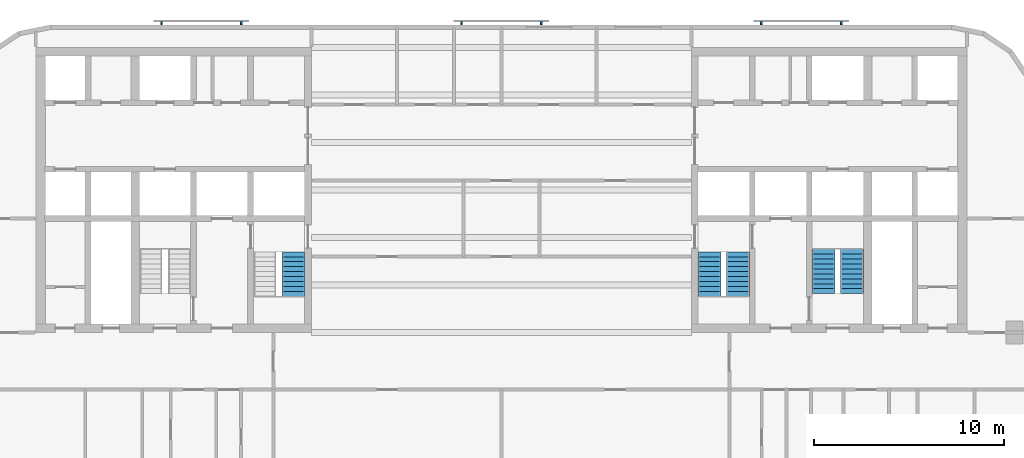
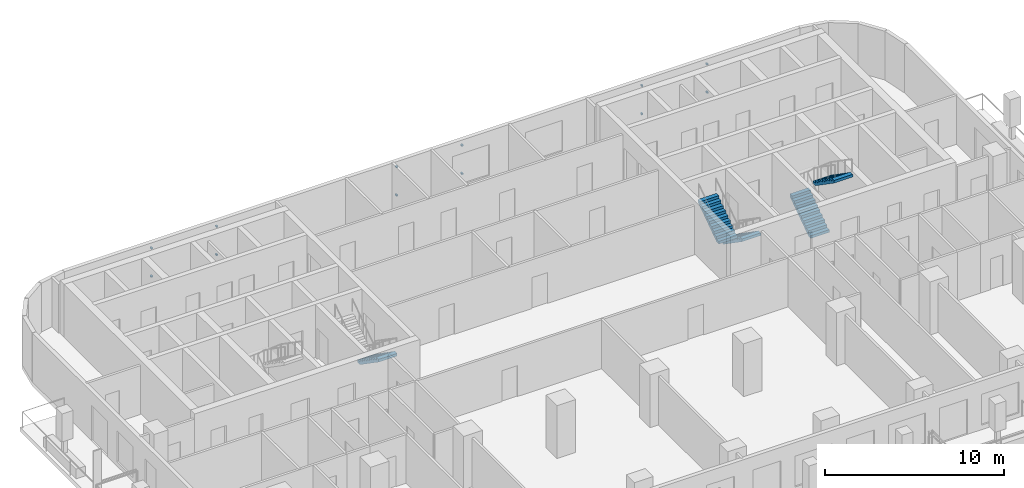
# One storey, part 8 of 11: 12 discrete accessories, 5 stair flights, 3 elements without a shape of their own.
"""IFC4 building model written with IfcOpenShell, lengths in metres."""

import ifcopenshell
import ifcopenshell.guid

model = None  # the IFC model being written
_history = None  # IfcOwnerHistory: only IFC2X3 demands one
_inside = {}  # id of a spatial element -> (the spatial element, [elements in it])
_under = {}  # id of a project, library or spatial element -> (it, [spatial elements below it])
_declared = {}  # id of a project -> (the project, [libraries it declares])
_typed = {}  # id of a type object -> (the type object, [elements of that type])
_made_of = {}  # id of a material, layer set ... -> (it, [elements and type objects made of it])


def new_model(schema):
    """Start an empty IFC model of exactly this schema.

    Asked for "IFC4X3", IfcOpenShell would pick the latest addendum, in which some entities
    have other attributes; the version numbers below select the first issue.
    IFC2X3 requires an IfcOwnerHistory on every rooted entity: one is made here for all.
    """
    global model, _history
    if schema == "IFC4X3":
        model = ifcopenshell.file(schema_version=(4, 3, 0, 0))
    else:
        model = ifcopenshell.file(schema=schema)
    _inside.clear()
    _under.clear()
    _declared.clear()
    _typed.clear()
    _made_of.clear()
    _history = None
    if model.schema == "IFC2X3":
        org = make("IfcOrganization", Name="unknown")
        user = make(
            "IfcPersonAndOrganization",
            ThePerson=make("IfcPerson", FamilyName="unknown"),
            TheOrganization=org,
        )
        app = make(
            "IfcApplication",
            ApplicationDeveloper=org,
            Version="unknown",
            ApplicationFullName="unknown",
            ApplicationIdentifier="unknown",
        )
        _history = make(
            "IfcOwnerHistory",
            OwningUser=user,
            OwningApplication=app,
            ChangeAction="ADDED",
            CreationDate=0,
        )
    return model


def make(cls, **values):
    """One entity of the class cls with the attributes given. An attribute that is None is left unset."""
    return model.create_entity(
        cls, **{name: value for name, value in values.items() if value is not None}
    )


def rooted(cls, **values):
    """An entity with a GlobalId (a new one), such as an element, a storey or a relation."""
    return make(cls, GlobalId=ifcopenshell.guid.new(), OwnerHistory=_history, **values)


def si_unit(unit_type, name, prefix=None):
    """IfcSIUnit, for example si_unit("LENGTHUNIT", "METRE", prefix="MILLI")."""
    return make("IfcSIUnit", UnitType=unit_type, Prefix=prefix, Name=name)


def assignment(units):
    """IfcUnitAssignment: the units of a project."""
    return None if units is None else make("IfcUnitAssignment", Units=units)


def point(xyz):
    """IfcCartesianPoint."""
    return None if xyz is None else make("IfcCartesianPoint", Coordinates=xyz)


def direction(xyz):
    """IfcDirection."""
    return None if xyz is None else make("IfcDirection", DirectionRatios=xyz)


def frame(location, z_axis=None, x_axis=None):
    """IfcAxis2Placement3D, a coordinate frame: its origin and axes. An axis left out is left unset."""
    return make(
        "IfcAxis2Placement3D",
        Location=point(location),
        Axis=direction(z_axis),
        RefDirection=direction(x_axis),
    )


def frame_2d(location, x_axis=None):
    """IfcAxis2Placement2D, a coordinate frame in the plane: its origin and x axis."""
    return make(
        "IfcAxis2Placement2D", Location=point(location), RefDirection=direction(x_axis)
    )


def origin():
    """The frame at (0, 0, 0) with its axes left unset."""
    return frame((0.0, 0.0, 0.0))


def origin_2d():
    """The frame at (0, 0) in the plane with its x axis left unset."""
    return frame_2d((0.0, 0.0))


def place(relative_to, where):
    """IfcLocalPlacement: puts the frame where relative to a parent placement (None: the world)."""
    return make(
        "IfcLocalPlacement", PlacementRelTo=relative_to, RelativePlacement=where
    )


def context(
    kind, dimensions, precision=None, world=None, true_north=None, identifier=None
):
    """IfcGeometricRepresentationContext, for example the 3D "Model" context."""
    return make(
        "IfcGeometricRepresentationContext",
        ContextIdentifier=identifier,
        ContextType=kind,
        CoordinateSpaceDimension=dimensions,
        Precision=precision,
        WorldCoordinateSystem=world,
        TrueNorth=true_north,
    )


def subcontext(parent, identifier, kind, view, scale=None):
    """IfcGeometricRepresentationSubContext, for example "Body" below "Model"."""
    return make(
        "IfcGeometricRepresentationSubContext",
        ContextIdentifier=identifier,
        ContextType=kind,
        ParentContext=parent,
        TargetScale=scale,
        TargetView=view,
    )


def project(units=None, contexts=None):
    """IfcProject with its units and contexts."""
    return rooted(
        "IfcProject",
        Name="project",
        RepresentationContexts=contexts,
        UnitsInContext=assignment(units),
    )


def spatial(cls, under=None, at=None, **own):
    """A site, building, storey or space (cls), placed at a placement, below another one or the project."""
    s = rooted(cls, ObjectPlacement=at, **own)
    if under is not None:
        _under.setdefault(under.id(), (under, []))[1].append(s)
    return s


def polyline(points):
    """IfcPolyline through the points."""
    return make("IfcPolyline", Points=[point(p) for p in points])


def profile(cls, at=None, kind="AREA", **sizes):
    """A parametric profile (cls). Its sizes go by their IFC names, for example OverallWidth=200.0."""
    return make(cls, ProfileType=kind, Position=at, **sizes)


def rectangle(**sizes):
    """IfcRectangleProfileDef."""
    return profile("IfcRectangleProfileDef", **sizes)


def outline(outer, holes=None, kind="AREA"):
    """IfcArbitraryClosedProfileDef: a profile drawn as a closed curve; with holes, ...WithVoids."""
    if holes is None:
        return make("IfcArbitraryClosedProfileDef", ProfileType=kind, OuterCurve=outer)
    return make(
        "IfcArbitraryProfileDefWithVoids",
        ProfileType=kind,
        OuterCurve=outer,
        InnerCurves=holes,
    )


def extrude(swept, where, along, depth):
    """IfcExtrudedAreaSolid: the profile swept, set in the frame where, extruded along a direction by depth."""
    return make(
        "IfcExtrudedAreaSolid",
        SweptArea=swept,
        Position=where,
        ExtrudedDirection=direction(along),
        Depth=depth,
    )


def shape(context_of_items, identifier, shape_type, items):
    """IfcShapeRepresentation: the items that make up one representation, for example the "Body"."""
    return make(
        "IfcShapeRepresentation",
        ContextOfItems=context_of_items,
        RepresentationIdentifier=identifier,
        RepresentationType=shape_type,
        Items=items,
    )


def material(Name=None, Category=None):
    """IfcMaterial."""
    return make("IfcMaterial", Name=Name, Category=Category)


def made_of(thing, what):
    """Note that an element or type object is made of a material, layer set ...; save() writes the relation."""
    if what is not None:
        _made_of.setdefault(what.id(), (what, []))[1].append(thing)
    return thing


def type_object(cls, material=None, **own):
    """A type object (cls), such as IfcWallType, which elements share."""
    return made_of(rooted(cls, **own), material)


def element(
    cls,
    number,
    at=None,
    inside=None,
    cuts=None,
    type_object=None,
    material=None,
    context=None,
    identifier="Body",
    shape_type=None,
    held_by="IfcProductDefinitionShape",
    body=None,
    shapes=None,
    **own,
):
    """One element of the class cls, such as IfcWall. Its Tag is "e" and its number.

    at: its placement. inside: the storey or other place that contains it. cuts: it is an
    opening in that element (IfcRelVoidsElement). A single representation is given by context,
    identifier, shape_type and body (its items); several are given by shapes. held_by: the class
    of the entity that holds the representations. save() writes the other relations.
    """
    e = rooted(cls, Tag="e%d" % number, ObjectPlacement=at, **own)
    if body is not None:
        shapes = [shape(context, identifier, shape_type, body)]
    if shapes is not None:
        e.Representation = make(held_by, Representations=shapes)
    if inside is not None:
        _inside.setdefault(inside.id(), (inside, []))[1].append(e)
    if cuts is not None:
        rooted(
            "IfcRelVoidsElement", RelatingBuildingElement=cuts, RelatedOpeningElement=e
        )
    if type_object is not None:
        _typed.setdefault(type_object.id(), (type_object, []))[1].append(e)
    return made_of(e, material)


def aggregate(whole, parts):
    """IfcRelAggregates: a whole, such as a stair, and the parts it consists of."""
    return rooted("IfcRelAggregates", RelatingObject=whole, RelatedObjects=parts)


def save(model, path):
    """Write the relations noted so far, then the file.

    IfcRelAggregates (storeys below a building ...), IfcRelContainedInSpatialStructure (elements
    in a storey), IfcRelDefinesByType, IfcRelAssociatesMaterial and IfcRelDeclares: one each for
    every whole, place, type object, material and project.
    """
    for whole, parts in _under.values():
        aggregate(whole, parts)
    for where, things in _inside.values():
        rooted(
            "IfcRelContainedInSpatialStructure",
            RelatedElements=things,
            RelatingStructure=where,
        )
    for kind, things in _typed.values():
        rooted("IfcRelDefinesByType", RelatedObjects=things, RelatingType=kind)
    for what, things in _made_of.values():
        rooted("IfcRelAssociatesMaterial", RelatedObjects=things, RelatingMaterial=what)
    for by, libraries in _declared.values():
        rooted("IfcRelDeclares", RelatingContext=by, RelatedDefinitions=libraries)
    model.write(path)


model = new_model("IFC4")

# Units and contexts
model_context = context("Model", 3, precision=1e-05, world=origin(), true_north=direction((0.0, 1.0)))
body_context = subcontext(model_context, "Body", "Model", "MODEL_VIEW")
ifc_project = project(units=[si_unit("LENGTHUNIT", "METRE"), si_unit("AREAUNIT", "SQUARE_METRE"), si_unit("VOLUMEUNIT", "CUBIC_METRE"), si_unit("PLANEANGLEUNIT", "RADIAN"), si_unit("MASSUNIT", "GRAM", prefix="KILO")], contexts=[model_context])

# Site, building, storey
site_placement = place(None, origin())
site = spatial("IfcSite", under=ifc_project, at=site_placement, CompositionType="ELEMENT")
building_placement = place(site_placement, origin())
building = spatial("IfcBuilding", under=site, at=building_placement, Name="Torana Hotel and Residences", CompositionType="ELEMENT")
storey_placement = place(building_placement, frame((0.0, 0.0, 130.800048828125)))
storey = spatial("IfcBuildingStorey", under=building, at=storey_placement, Name="L33", CompositionType="ELEMENT", Elevation=130.800048828125)

# Stair, stair flight
ifc_material_1 = material(Name="Concrete C40/50 precast", Category="concrete")
stair_type_1 = type_object("IfcStairType", Name="STAIR ST1 HALF TURN 1200", PredefinedType="HALF_TURN_STAIR", material=ifc_material_1)
stair_1_placement = place(storey_placement, origin())
stair_1 = element("IfcStair", 1, at=stair_1_placement, inside=storey, type_object=stair_type_1, Name="Stair ST1 L33", PredefinedType="HALF_TURN_STAIR")
ifc_material_2 = material(Name="Concrete C40/50 precast", Category="concrete")
stair_flight_type = type_object("IfcStairFlightType", Name="STAIR FLIGHT 1200 PRECAST", PredefinedType="STRAIGHT", material=ifc_material_2)
stair_flight_1_placement = place(storey_placement, frame((-10.949951171875, -10.75, 0.0), z_axis=(0.0, 0.0, 1.0), x_axis=(0.0, -1.0, 0.0)))
stair_flight_1 = element("IfcStairFlight", 2, at=stair_flight_1_placement, type_object=stair_flight_type, Name="ST1 flight 1", NumberOfRisers=10, NumberOfTreads=9, PredefinedType="STRAIGHT", RiserHeight=0.18, TreadLength=0.26, context=body_context, shape_type="SweptSolid", body=[
    extrude(outline(polyline([(0.0, 0.0), (0.0, 0.179931640625), (0.260009765625, 0.179931640625), (0.260009765625, 0.360107421875), (0.52001953125, 0.360107421875), (0.52001953125, 0.5400390625), (0.780029296875, 0.5400390625), (0.780029296875, 0.719970703125), (1.0400390625, 0.719970703125), (1.0400390625, 0.89990234375), (1.300048828125, 0.89990234375), (1.300048828125, 1.080078125), (1.56005859375, 1.080078125), (1.56005859375, 1.260009765625), (1.820068359375, 1.260009765625), (1.820068359375, 1.43994140625), (2.080078125, 1.43994140625), (2.080078125, 1.6201171875), (2.340087890625, 1.6201171875), (2.340087890625, 1.800048828125), (2.340087890625, 1.437744140625), (0.263427734375, 0.0), (0.0, 0.0)])), frame((0.0, 0.60009765625, 0.0), z_axis=(0.0, -1.0, 0.0), x_axis=(1.0, 0.0, 0.0)), (0.0, 0.0, 1.0), 1.199951171875),
])
aggregate(stair_1, [stair_flight_1])

# Stair, stair flights
ifc_material_3 = material(Name="Concrete C40/50 precast", Category="concrete")
stair_type_2 = type_object("IfcStairType", Name="STAIR ST3 HALF TURN 1200", PredefinedType="HALF_TURN_STAIR", material=ifc_material_3)
stair_2_placement = place(storey_placement, origin())
stair_2 = element("IfcStair", 3, at=stair_2_placement, inside=storey, type_object=stair_type_2, Name="Stair ST3 L33", PredefinedType="HALF_TURN_STAIR")
stair_flight_2_placement = place(storey_placement, frame((12.449951171875, -10.75, 0.0), z_axis=(0.0, 0.0, 1.0), x_axis=(0.0, -1.0, 0.0)))
stair_flight_2 = element("IfcStairFlight", 4, at=stair_flight_2_placement, type_object=stair_flight_type, Name="ST3 flight 1", NumberOfRisers=10, NumberOfTreads=9, PredefinedType="STRAIGHT", RiserHeight=0.18, TreadLength=0.26, context=body_context, shape_type="SweptSolid", body=[
    extrude(outline(polyline([(0.0, 0.0), (0.0, 0.179931640625), (0.260009765625, 0.179931640625), (0.260009765625, 0.360107421875), (0.52001953125, 0.360107421875), (0.52001953125, 0.5400390625), (0.780029296875, 0.5400390625), (0.780029296875, 0.719970703125), (1.0400390625, 0.719970703125), (1.0400390625, 0.89990234375), (1.300048828125, 0.89990234375), (1.300048828125, 1.080078125), (1.56005859375, 1.080078125), (1.56005859375, 1.260009765625), (1.820068359375, 1.260009765625), (1.820068359375, 1.43994140625), (2.080078125, 1.43994140625), (2.080078125, 1.6201171875), (2.340087890625, 1.6201171875), (2.340087890625, 1.800048828125), (2.340087890625, 1.437744140625), (0.263427734375, 0.0), (0.0, 0.0)])), frame((0.0, 0.60009765625, 0.0), z_axis=(0.0, -1.0, 0.0), x_axis=(1.0, 0.0, 0.0)), (0.0, 0.0, 1.0), 1.199951171875),
])
stair_flight_3_placement = place(storey_placement, frame((10.949951171875, -13.090087890625, 1.800048828125), z_axis=(0.0, 0.0, 1.0), x_axis=(0.0, 1.0, 0.0)))
stair_flight_3 = element("IfcStairFlight", 5, at=stair_flight_3_placement, type_object=stair_flight_type, Name="ST3 flight 2", NumberOfRisers=10, NumberOfTreads=9, PredefinedType="STRAIGHT", RiserHeight=0.18, TreadLength=0.26, context=body_context, shape_type="SweptSolid", body=[
    extrude(outline(polyline([(0.0, 0.0), (0.0, 0.179931640625), (0.260009765625, 0.179931640625), (0.260009765625, 0.360107421875), (0.52001953125, 0.360107421875), (0.52001953125, 0.5400390625), (0.780029296875, 0.5400390625), (0.780029296875, 0.719970703125), (1.0400390625, 0.719970703125), (1.0400390625, 0.89990234375), (1.300048828125, 0.89990234375), (1.300048828125, 1.080078125), (1.56005859375, 1.080078125), (1.56005859375, 1.260009765625), (1.820068359375, 1.260009765625), (1.820068359375, 1.43994140625), (2.080078125, 1.43994140625), (2.080078125, 1.6201171875), (2.340087890625, 1.6201171875), (2.340087890625, 1.800048828125), (2.340087890625, 1.437744140625), (0.263427734375, 0.0), (0.0, 0.0)])), frame((0.0, 0.60009765625, 0.0), z_axis=(0.0, -1.0, 0.0), x_axis=(1.0, 0.0, 0.0)), (0.0, 0.0, 1.0), 1.199951171875),
])
aggregate(stair_2, [stair_flight_2, stair_flight_3])

ifc_material_4 = material(Name="Concrete C40/50 precast", Category="concrete")
stair_type_3 = type_object("IfcStairType", Name="STAIR ST4 HALF TURN 1200", PredefinedType="HALF_TURN_STAIR", material=ifc_material_4)
stair_3_placement = place(storey_placement, origin())
stair_3 = element("IfcStair", 6, at=stair_3_placement, inside=storey, type_object=stair_type_3, Name="Stair ST4 L33", PredefinedType="HALF_TURN_STAIR")
stair_flight_4_placement = place(storey_placement, frame((16.949951171875, -12.949951171875, 0.0), z_axis=(0.0, 0.0, 1.0), x_axis=(0.0, 1.0, 0.0)))
stair_flight_4 = element("IfcStairFlight", 7, at=stair_flight_4_placement, type_object=stair_flight_type, Name="ST4 flight 1", NumberOfRisers=10, NumberOfTreads=9, PredefinedType="STRAIGHT", RiserHeight=0.18, TreadLength=0.26, context=body_context, shape_type="SweptSolid", body=[
    extrude(outline(polyline([(0.0, 0.0), (0.0, 0.179931640625), (0.260009765625, 0.179931640625), (0.260009765625, 0.360107421875), (0.52001953125, 0.360107421875), (0.52001953125, 0.5400390625), (0.780029296875, 0.5400390625), (0.780029296875, 0.719970703125), (1.0400390625, 0.719970703125), (1.0400390625, 0.89990234375), (1.300048828125, 0.89990234375), (1.300048828125, 1.080078125), (1.56005859375, 1.080078125), (1.56005859375, 1.260009765625), (1.820068359375, 1.260009765625), (1.820068359375, 1.43994140625), (2.080078125, 1.43994140625), (2.080078125, 1.6201171875), (2.340087890625, 1.6201171875), (2.340087890625, 1.800048828125), (2.340087890625, 1.437744140625), (0.263427734375, 0.0), (0.0, 0.0)])), frame((0.0, 0.60009765625, 0.0), z_axis=(0.0, -1.0, 0.0), x_axis=(1.0, 0.0, 0.0)), (0.0, 0.0, 1.0), 1.199951171875),
])
stair_flight_5_placement = place(storey_placement, frame((18.449951171875, -10.610107421875, 1.800048828125), z_axis=(0.0, 0.0, 1.0), x_axis=(0.0, -1.0, 0.0)))
stair_flight_5 = element("IfcStairFlight", 8, at=stair_flight_5_placement, type_object=stair_flight_type, Name="ST4 flight 2", NumberOfRisers=10, NumberOfTreads=9, PredefinedType="STRAIGHT", RiserHeight=0.18, TreadLength=0.26, context=body_context, shape_type="SweptSolid", body=[
    extrude(outline(polyline([(0.0, 0.0), (0.0, 0.179931640625), (0.260009765625, 0.179931640625), (0.260009765625, 0.360107421875), (0.52001953125, 0.360107421875), (0.52001953125, 0.5400390625), (0.780029296875, 0.5400390625), (0.780029296875, 0.719970703125), (1.0400390625, 0.719970703125), (1.0400390625, 0.89990234375), (1.300048828125, 0.89990234375), (1.300048828125, 1.080078125), (1.56005859375, 1.080078125), (1.56005859375, 1.260009765625), (1.820068359375, 1.260009765625), (1.820068359375, 1.43994140625), (2.080078125, 1.43994140625), (2.080078125, 1.6201171875), (2.340087890625, 1.6201171875), (2.340087890625, 1.800048828125), (2.340087890625, 1.437744140625), (0.263427734375, 0.0), (0.0, 0.0)])), frame((0.0, 0.60009765625, 0.0), z_axis=(0.0, -1.0, 0.0), x_axis=(1.0, 0.0, 0.0)), (0.0, 0.0, 1.0), 1.199951171875),
])
aggregate(stair_3, [stair_flight_4, stair_flight_5])

# Discrete accessories
ifc_material_5 = material(Name="Steel S355", Category="steel")
discrete_accessory_type = type_object("IfcDiscreteAccessoryType", Name="SCREEN BRACKET 100", PredefinedType="BRACKET", material=ifc_material_5)
for number, where, z_axis, x_axis, name in (
    (9, (17.883544921875, 1.27490234375, 0.75), (0.0, 0.0, 1.0), (-1.0, 0.0, 0.0), "Screen bracket L33"),
    (10, (17.883544921875, 1.27490234375, 2.669921875), (0.0, 0.0, 1.0), (-1.0, 0.0, 0.0), "Screen bracket L33"),
    (11, (13.68359375, 1.27490234375, 0.75), (0.0, 0.0, 1.0), (-1.0, 0.0, 0.0), "Screen bracket L33"),
    (12, (13.68359375, 1.27490234375, 2.669921875), (0.0, 0.0, 1.0), (-1.0, 0.0, 0.0), "Screen bracket L33"),
    (13, (2.10009765625, 1.27490234375, 0.75), (0.0, 0.0, 1.0), (-1.0, 0.0, 0.0), "Screen bracket L33"),
    (14, (2.10009765625, 1.27490234375, 2.669921875), (0.0, 0.0, 1.0), (-1.0, 0.0, 0.0), "Screen bracket L33"),
    (15, (-2.10009765625, 1.27490234375, 0.75), (0.0, 0.0, 1.0), (-1.0, 0.0, 0.0), "Screen bracket L33"),
    (16, (-2.10009765625, 1.27490234375, 2.669921875), (0.0, 0.0, 1.0), (-1.0, 0.0, 0.0), "Screen bracket L33"),
    (17, (-13.68359375, 1.27490234375, 0.75), (0.0, 0.0, 1.0), (-1.0, 0.0, 0.0), "Screen bracket L33"),
    (18, (-13.68359375, 1.27490234375, 2.669921875), (0.0, 0.0, 1.0), (-1.0, 0.0, 0.0), "Screen bracket L33"),
    (19, (-17.883544921875, 1.27490234375, 0.75), (0.0, 0.0, 1.0), (-1.0, 0.0, 0.0), "Screen bracket L33"),
    (20, (-17.883544921875, 1.27490234375, 2.669921875), (0.0, 0.0, 1.0), (-1.0, 0.0, 0.0), "Screen bracket L33"),
):
    element("IfcDiscreteAccessory", number, at=place(storey_placement, frame(where, z_axis=z_axis, x_axis=x_axis)), inside=storey, type_object=discrete_accessory_type, Name=name, PredefinedType="BRACKET", context=body_context, shape_type="SweptSolid", body=[
        extrude(rectangle(XDim=0.10009765625, YDim=0.14990234375, at=origin_2d()), origin(), (0.0, 0.0, 1.0), 0.10009765625),
    ])

save(model, "model.ifc")
